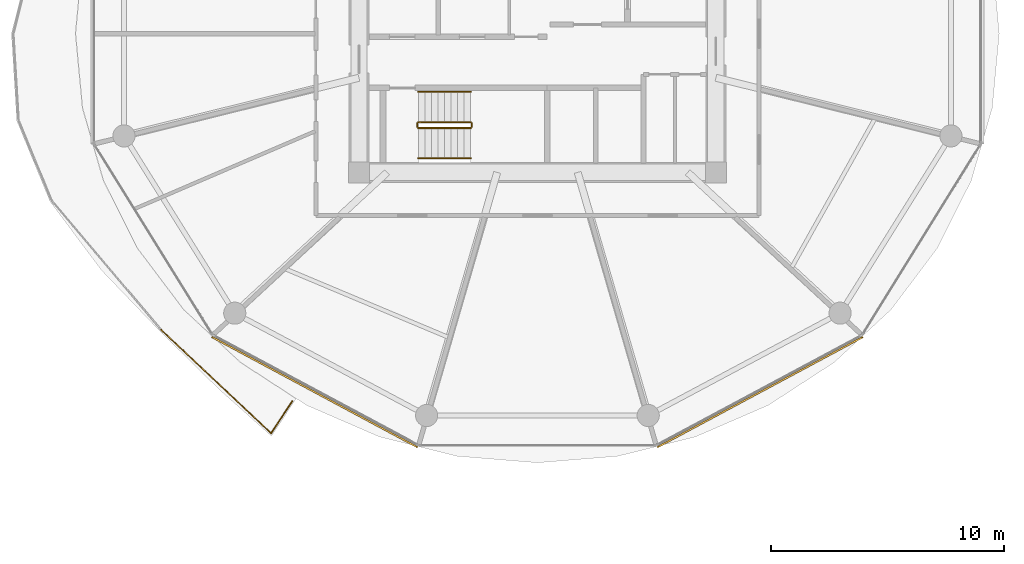
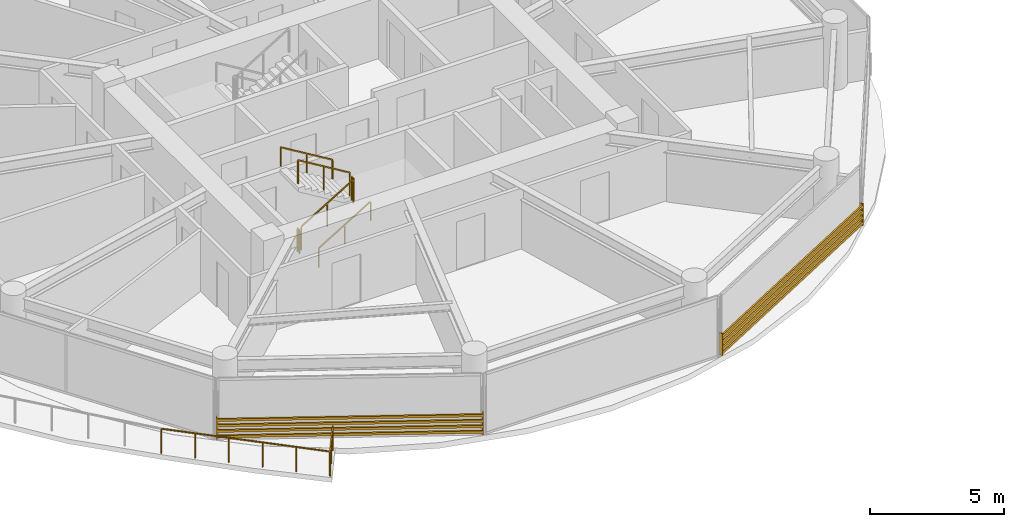
# One storey, part 23 of 27: 7 railings, 2 shading devices.
"""IFC4 building model written with IfcOpenShell, lengths in metres."""

from ifc_helpers import new_model, si_unit, direction, frame, origin, origin_2d, place, context, subcontext, project, spatial, rectangle, extrude, source, transform, mapped, material, type_object, type_shapes, element, save


model = new_model("IFC4")

# Units and contexts
model_context = context("Model", 3, precision=1e-05, world=origin(), true_north=direction((0.0, 1.0)))
body_context = subcontext(model_context, "Body", "Model", "MODEL_VIEW")
ifc_project = project(units=[si_unit("LENGTHUNIT", "METRE"), si_unit("AREAUNIT", "SQUARE_METRE"), si_unit("VOLUMEUNIT", "CUBIC_METRE"), si_unit("PLANEANGLEUNIT", "RADIAN"), si_unit("MASSUNIT", "GRAM", prefix="KILO")], contexts=[model_context])

# Site, building, storey
site_placement = place(None, origin())
site = spatial("IfcSite", under=ifc_project, at=site_placement, CompositionType="ELEMENT")
building_placement = place(site_placement, origin())
building = spatial("IfcBuilding", under=site, at=building_placement, Name="Norrkilde Senior Care Towers", CompositionType="ELEMENT")
storey_placement = place(building_placement, frame((0.0, 0.0, 33.800048828125)))
storey = spatial("IfcBuildingStorey", under=building, at=storey_placement, Name="L09", CompositionType="ELEMENT", Elevation=33.800048828125)

# Railings
ifc_material_1 = material(Name="Anodised Aluminium", Category="aluminium")
railing_type_1 = type_object("IfcRailingType", Name="Balcony Swirl Ribbon Guardrail 1150", PredefinedType="GUARDRAIL", material=ifc_material_1)
railing_1_placement = place(storey_placement, frame((-38.505859375, -15.75537109375, 0.0)))
element("IfcRailing", 1, at=railing_1_placement, inside=storey, type_object=railing_type_1, Name="L09 Perimeter Safety Guard 04", PredefinedType="GUARDRAIL", context=body_context, shape_type="SweptSolid", body=[
    extrude(rectangle(XDim=0.048095703125, YDim=0.048095703125, at=origin_2d()), frame((0.0, 0.0, 1.1259765625), z_axis=(-0.551224269502, -0.83435712061, 0.0), x_axis=(0.83435712061, -0.551224269502, 0.0)), (0.0, 0.0, 1.0), 1.61474609375),
    extrude(rectangle(XDim=0.048095703125, YDim=0.048095703125, at=origin_2d()), frame((-0.9423828125, -1.353271484375, 1.1259765625), z_axis=(-0.728060573096, 0.685512802144, 0.0), x_axis=(-0.685512802144, -0.728060573096, 0.0)), (0.0, 0.0, 1.0), 6.437255859375),
    extrude(rectangle(XDim=0.0419921875, YDim=0.0419921875, at=origin_2d()), origin(), (0.0, 0.0, 1.0), 1.099853515625),
    extrude(rectangle(XDim=0.0419921875, YDim=0.0419921875, at=origin_2d()), frame((-0.456298828125, -0.690673828125, 0.0)), (0.0, 0.0, 1.0), 1.099853515625),
    extrude(rectangle(XDim=0.0419921875, YDim=0.0419921875, at=origin_2d()), frame((-0.91259765625, -1.38134765625, 0.0)), (0.0, 0.0, 1.0), 1.099853515625),
    extrude(rectangle(XDim=0.0419921875, YDim=0.0419921875, at=origin_2d()), frame((-1.85595703125, -0.4931640625, 0.0)), (0.0, 0.0, 1.0), 1.099853515625),
    extrude(rectangle(XDim=0.0419921875, YDim=0.0419921875, at=origin_2d()), frame((-2.79931640625, 0.39501953125, 0.0)), (0.0, 0.0, 1.0), 1.099853515625),
    extrude(rectangle(XDim=0.0419921875, YDim=0.0419921875, at=origin_2d()), frame((-3.742431640625, 1.283203125, 0.0)), (0.0, 0.0, 1.0), 1.099853515625),
    extrude(rectangle(XDim=0.0419921875, YDim=0.0419921875, at=origin_2d()), frame((-4.685791015625, 2.17138671875, 0.0)), (0.0, 0.0, 1.0), 1.099853515625),
    extrude(rectangle(XDim=0.0419921875, YDim=0.0419921875, at=origin_2d()), frame((-5.629150390625, 3.0595703125, 0.0)), (0.0, 0.0, 1.0), 1.099853515625),
])
ifc_material_2 = material(Name="Stainless Steel", Category="steel")
railing_type_2 = type_object("IfcRailingType", Name="Stair and Terrace Guardrail 1100", PredefinedType="GUARDRAIL", material=ifc_material_2)
railing_2_placement = place(storey_placement, frame((-33.10009765625, -4.050048828125, 0.16943359375)))
element("IfcRailing", 2, at=railing_2_placement, inside=storey, type_object=railing_type_2, Name="L09 ST-W2 stair guard 1", PredefinedType="GUARDRAIL", context=body_context, shape_type="SweptSolid", body=[
    extrude(rectangle(XDim=0.048095703125, YDim=0.048095703125, at=origin_2d()), frame((0.0, 0.0, 1.076171875), z_axis=(0.855553338991, 0.0, 0.51771467445), x_axis=(0.0, 1.0, 0.0)), (0.0, 0.0, 1.0), 2.6181640625),
    extrude(rectangle(XDim=0.0419921875, YDim=0.0419921875, at=origin_2d()), origin(), (0.0, 0.0, 1.0), 1.050048828125),
    extrude(rectangle(XDim=0.0419921875, YDim=0.0419921875, at=origin_2d()), frame((1.1201171875, 0.0, 0.677734375)), (0.0, 0.0, 1.0), 1.050048828125),
    extrude(rectangle(XDim=0.0419921875, YDim=0.0419921875, at=origin_2d()), frame((2.239990234375, 0.0, 1.35546875)), (0.0, 0.0, 1.0), 1.050048828125),
])
railing_3_placement = place(storey_placement, frame((-30.81005859375, -4.0, 1.52490234375)))
element("IfcRailing", 3, at=railing_3_placement, inside=storey, type_object=railing_type_2, Name="L09 ST-W2 stair guard 2", PredefinedType="GUARDRAIL", context=body_context, shape_type="SweptSolid", body=[
    extrude(rectangle(XDim=0.048095703125, YDim=0.048095703125, at=origin_2d()), frame((0.0, 0.0, 1.076171875), z_axis=(0.0, 1.0, 0.0), x_axis=(-1.0, 0.0, 0.0)), (0.0, 0.0, 1.0), 0.14990234375),
    extrude(rectangle(XDim=0.0419921875, YDim=0.0419921875, at=origin_2d()), origin(), (0.0, 0.0, 1.0), 1.050048828125),
    extrude(rectangle(XDim=0.0419921875, YDim=0.0419921875, at=origin_2d()), frame((0.0, 0.14990234375, 0.0)), (0.0, 0.0, 1.0), 1.050048828125),
])
railing_4_placement = place(storey_placement, frame((-30.860107421875, -3.800048828125, 1.6943359375)))
element("IfcRailing", 4, at=railing_4_placement, inside=storey, type_object=railing_type_2, Name="L09 ST-W2 stair guard 3", PredefinedType="GUARDRAIL", context=body_context, shape_type="SweptSolid", body=[
    extrude(rectangle(XDim=0.048095703125, YDim=0.048095703125, at=origin_2d()), frame((0.0, 0.0, 1.076171875), z_axis=(-0.855512035549, 0.0, 0.517782924622), x_axis=(0.0, -1.0, 0.0)), (0.0, 0.0, 1.0), 2.618408203125),
    extrude(rectangle(XDim=0.0419921875, YDim=0.0419921875, at=origin_2d()), origin(), (0.0, 0.0, 1.0), 1.050048828125),
    extrude(rectangle(XDim=0.0419921875, YDim=0.0419921875, at=origin_2d()), frame((-1.1201171875, 0.0, 0.677734375)), (0.0, 0.0, 1.0), 1.050048828125),
    extrude(rectangle(XDim=0.0419921875, YDim=0.0419921875, at=origin_2d()), frame((-2.239990234375, 0.0, 1.355712890625)), (0.0, 0.0, 1.0), 1.050048828125),
])
railing_5_placement = place(storey_placement, frame((-33.14990234375, -4.0, 0.0)))
element("IfcRailing", 5, at=railing_5_placement, inside=storey, type_object=railing_type_2, Name="L09 ST-W2 stair guard 4", PredefinedType="GUARDRAIL", context=body_context, shape_type="SweptSolid", body=[
    extrude(rectangle(XDim=0.048095703125, YDim=0.048095703125, at=origin_2d()), frame((0.0, 0.0, 1.076171875), z_axis=(0.0, 1.0, 0.0), x_axis=(-1.0, 0.0, 0.0)), (0.0, 0.0, 1.0), 0.14990234375),
    extrude(rectangle(XDim=0.0419921875, YDim=0.0419921875, at=origin_2d()), origin(), (0.0, 0.0, 1.0), 1.050048828125),
    extrude(rectangle(XDim=0.0419921875, YDim=0.0419921875, at=origin_2d()), frame((0.0, 0.14990234375, 0.0)), (0.0, 0.0, 1.0), 1.050048828125),
])
ifc_material_3 = material(Name="Nordic Ash Timber", Category="wood")
railing_type_3 = type_object("IfcRailingType", Name="Wall and Stair Handrail 900", PredefinedType="HANDRAIL", material=ifc_material_3)
railing_6_placement = place(storey_placement, frame((-33.10009765625, -5.35009765625, 0.16943359375)))
element("IfcRailing", 6, at=railing_6_placement, inside=storey, type_object=railing_type_3, Name="L09 ST-W2 stair handrail 1", PredefinedType="HANDRAIL", context=body_context, shape_type="SweptSolid", body=[
    extrude(rectangle(XDim=0.048095703125, YDim=0.048095703125, at=origin_2d()), frame((0.0, 0.0, 0.8759765625), z_axis=(0.855553338991, 0.0, 0.51771467445), x_axis=(0.0, 1.0, 0.0)), (0.0, 0.0, 1.0), 2.6181640625),
    extrude(rectangle(XDim=0.0419921875, YDim=0.0419921875, at=origin_2d()), origin(), (0.0, 0.0, 1.0), 0.849853515625),
    extrude(rectangle(XDim=0.0419921875, YDim=0.0419921875, at=origin_2d()), frame((1.1201171875, 0.0, 0.677734375)), (0.0, 0.0, 1.0), 0.849853515625),
    extrude(rectangle(XDim=0.0419921875, YDim=0.0419921875, at=origin_2d()), frame((2.239990234375, 0.0, 1.35546875)), (0.0, 0.0, 1.0), 0.849853515625),
])
railing_7_placement = place(storey_placement, frame((-30.860107421875, -2.5, 1.6943359375)))
element("IfcRailing", 7, at=railing_7_placement, inside=storey, type_object=railing_type_3, Name="L09 ST-W2 stair handrail 2", PredefinedType="HANDRAIL", context=body_context, shape_type="SweptSolid", body=[
    extrude(rectangle(XDim=0.048095703125, YDim=0.048095703125, at=origin_2d()), frame((0.0, 0.0, 0.8759765625), z_axis=(-0.855512035549, 0.0, 0.517782924622), x_axis=(0.0, -1.0, 0.0)), (0.0, 0.0, 1.0), 2.618408203125),
    extrude(rectangle(XDim=0.0419921875, YDim=0.0419921875, at=origin_2d()), origin(), (0.0, 0.0, 1.0), 0.849853515625),
    extrude(rectangle(XDim=0.0419921875, YDim=0.0419921875, at=origin_2d()), frame((-1.1201171875, 0.0, 0.677734375)), (0.0, 0.0, 1.0), 0.849853515625),
    extrude(rectangle(XDim=0.0419921875, YDim=0.0419921875, at=origin_2d()), frame((-2.239990234375, 0.0, 1.355712890625)), (0.0, 0.0, 1.0), 0.849853515625),
])

# Shading devices
ifc_material_4 = material(Name="Architectural Terracotta", Category="masonry")
shading_device_type = type_object("IfcShadingDeviceType", Name="Horizontal Terracotta Baguette Rack", PredefinedType="USERDEFINED", material=ifc_material_4)
shared_shape = source(origin(), body_context, "Body", "SweptSolid", [
    extrude(rectangle(XDim=0.070068359375, YDim=0.110107421875, at=origin_2d()), frame((0.0, 0.090087890625, 0.125), z_axis=(1.0, 0.0, 0.0), x_axis=(0.0, 1.0, 0.0)), (0.0, 0.0, 1.0), 10.0107421875),
    extrude(rectangle(XDim=0.070068359375, YDim=0.110107421875, at=origin_2d()), frame((0.0, 0.090087890625, 0.375), z_axis=(1.0, 0.0, 0.0), x_axis=(0.0, 1.0, 0.0)), (0.0, 0.0, 1.0), 10.0107421875),
    extrude(rectangle(XDim=0.070068359375, YDim=0.110107421875, at=origin_2d()), frame((0.0, 0.090087890625, 0.625), z_axis=(1.0, 0.0, 0.0), x_axis=(0.0, 1.0, 0.0)), (0.0, 0.0, 1.0), 10.0107421875),
    extrude(rectangle(XDim=0.070068359375, YDim=0.110107421875, at=origin_2d()), frame((0.0, 0.090087890625, 0.875), z_axis=(1.0, 0.0, 0.0), x_axis=(0.0, 1.0, 0.0)), (0.0, 0.0, 1.0), 10.0107421875),
    extrude(rectangle(XDim=0.050048828125, YDim=0.1552734375, at=origin_2d()), frame((0.02490234375, 0.047607421875, 0.0)), (0.0, 0.0, 1.0), 1.0),
    extrude(rectangle(XDim=0.050048828125, YDim=0.1552734375, at=origin_2d()), frame((9.98583984375, 0.047607421875, 0.0)), (0.0, 0.0, 1.0), 1.0),
])
type_shapes(shading_device_type, [shared_shape])
for number, where, z_axis, x_axis, name in (
    (8, (-33.093505859375, -17.6572265625, 0.079833984375), (0.0, 0.0, 1.0), (-0.881279875134, 0.472612428056, 0.0), "L09 Drum W Terracotta Baguette Screen 07"),
    (9, (-14.084228515625, -12.926025390625, 0.079833984375), (0.0, 0.0, 1.0), (-0.881279875134, -0.472612428056, 0.0), "L09 Drum W Terracotta Baguette Screen 09"),
):
    element("IfcShadingDevice", number, at=place(storey_placement, frame(where, z_axis=z_axis, x_axis=x_axis)), inside=storey, type_object=shading_device_type, Name=name, ObjectType="BAGUETTE", PredefinedType="USERDEFINED", context=body_context, shape_type="MappedRepresentation", body=[
        mapped(shared_shape, transform((0.0, 0.0, 0.0), x_axis=(1.0, 0.0, 0.0), y_axis=(0.0, 1.0, 0.0), z_axis=(0.0, 0.0, 1.0), scale=1.0)),
    ])

save(model, "model.ifc")
